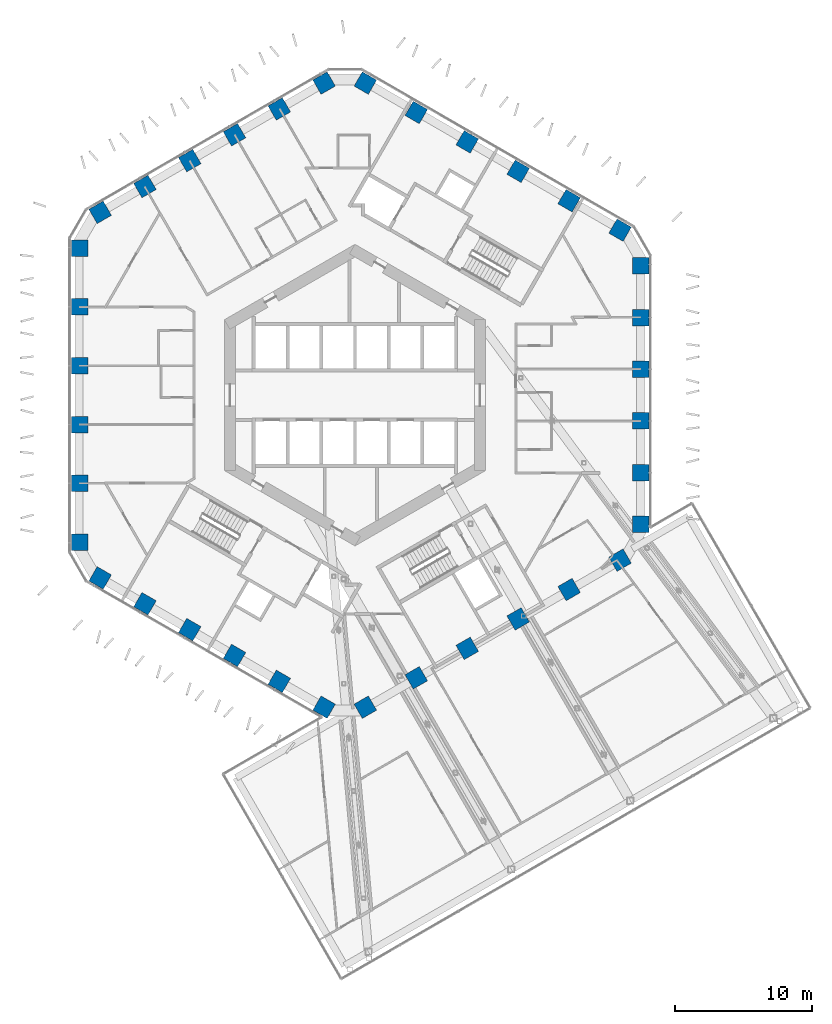
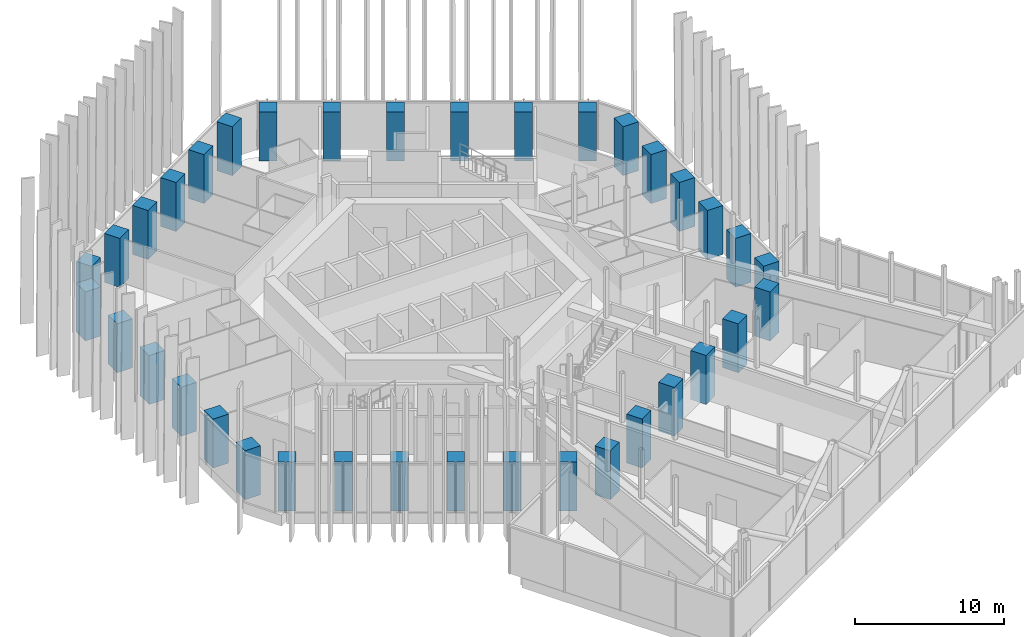
# One storey, part 1 of 29: 36 columns.
"""IFC4 building model written with IfcOpenShell, lengths in metres."""

from ifc_helpers import new_model, si_unit, direction, frame, origin, origin_2d, place, context, subcontext, project, spatial, rectangle, extrude, material, material_profile, profile_set, type_object, element, save


model = new_model("IFC4")

# Units and contexts
model_context = context("Model", 3, precision=1e-05, world=origin(), true_north=direction((0.0, 1.0)))
body_context = subcontext(model_context, "Body", "Model", "MODEL_VIEW")
ifc_project = project(units=[si_unit("LENGTHUNIT", "METRE"), si_unit("AREAUNIT", "SQUARE_METRE"), si_unit("VOLUMEUNIT", "CUBIC_METRE"), si_unit("PLANEANGLEUNIT", "RADIAN"), si_unit("MASSUNIT", "GRAM", prefix="KILO")], contexts=[model_context])

# Site, building, storey
site_placement = place(None, origin())
site = spatial("IfcSite", under=ifc_project, at=site_placement, CompositionType="ELEMENT")
building_placement = place(site_placement, origin())
building = spatial("IfcBuilding", under=site, at=building_placement, Name="Ayvan Gate Tower", CompositionType="ELEMENT")
storey_placement = place(building_placement, frame((0.0, 0.0, 66.300048828125)))
storey = spatial("IfcBuildingStorey", under=building, at=storey_placement, Name="L17", CompositionType="ELEMENT", Elevation=66.300048828125)

# Columns
ifc_material = material(Name="Concrete C70/85", Category="concrete")
ifc_material_profile = material_profile(ifc_material, rectangle(XDim=1.199951171875, YDim=1.199951171875, at=origin_2d()), Name="RC 1200x1200")
ifc_profile_set = profile_set([ifc_material_profile], Name="Concrete C70/85")
column_type = type_object("IfcColumnType", Name="Tube column RC 1200x1200 C70/85", PredefinedType="COLUMN", material=ifc_profile_set)
for number, where, z_axis, x_axis, name in (
    (1, (20.78466796875, -9.4052734375, 0.0), (0.0, 0.0, 1.0), (1.0, 0.0, 0.0), "C-T0-0-L17"),
    (2, (20.78466796875, -5.64306640625, 0.0), (0.0, 0.0, 1.0), (1.0, 0.0, 0.0), "C-T0-1-L17"),
    (3, (20.78466796875, -1.881103515625, 0.0), (0.0, 0.0, 1.0), (1.0, 0.0, 0.0), "C-T0-2-L17"),
    (4, (20.78466796875, 1.881103515625, 0.0), (0.0, 0.0, 1.0), (1.0, 0.0, 0.0), "C-T0-3-L17"),
    (5, (20.78466796875, 5.64306640625, 0.0), (0.0, 0.0, 1.0), (1.0, 0.0, 0.0), "C-T0-4-L17"),
    (6, (20.78466796875, 9.4052734375, 0.0), (0.0, 0.0, 1.0), (1.0, 0.0, 0.0), "C-T0-5-L17"),
    (7, (19.28466796875, 12.00341796875, 0.0), (0.0, 0.0, 1.0), (0.5, 0.866025403784, 0.0), "C-T1-0-L17"),
    (8, (15.578369140625, 14.143310546875, 0.0), (0.0, 0.0, 1.0), (0.5, 0.866025403784, 0.0), "C-T1-1-L17"),
    (9, (11.871826171875, 16.283203125, 0.0), (0.0, 0.0, 1.0), (0.5, 0.866025403784, 0.0), "C-T1-2-L17"),
    (10, (8.16552734375, 18.4228515625, 0.0), (0.0, 0.0, 1.0), (0.5, 0.866025403784, 0.0), "C-T1-3-L17"),
    (11, (4.459228515625, 20.562744140625, 0.0), (0.0, 0.0, 1.0), (0.5, 0.866025403784, 0.0), "C-T1-4-L17"),
    (12, (0.7529296875, 22.70263671875, 0.0), (0.0, 0.0, 1.0), (0.5, 0.866025403784, 0.0), "C-T1-5-L17"),
    (13, (-2.2470703125, 22.70263671875, 0.0), (0.0, 0.0, 1.0), (-0.5, 0.866025403784, 0.0), "C-T2-0-L17"),
    (14, (-5.505126953125, 20.821533203125, 0.0), (0.0, 0.0, 1.0), (-0.5, 0.866025403784, 0.0), "C-T2-1-L17"),
    (15, (-8.76318359375, 18.9404296875, 0.0), (0.0, 0.0, 1.0), (-0.5, 0.866025403784, 0.0), "C-T2-2-L17"),
    (16, (-12.021240234375, 17.0595703125, 0.0), (0.0, 0.0, 1.0), (-0.5, 0.866025403784, 0.0), "C-T2-3-L17"),
    (17, (-15.279541015625, 15.178466796875, 0.0), (0.0, 0.0, 1.0), (-0.5, 0.866025403784, 0.0), "C-T2-4-L17"),
    (18, (-18.53759765625, 13.29736328125, 0.0), (0.0, 0.0, 1.0), (-0.5, 0.866025403784, 0.0), "C-T2-5-L17"),
    (19, (-20.03759765625, 10.69921875, 0.0), (0.0, 0.0, 1.0), (-1.0, 0.0, 0.0), "C-T3-0-L17"),
    (20, (-20.03759765625, 6.419677734375, 0.0), (0.0, 0.0, 1.0), (-1.0, 0.0, 0.0), "C-T3-1-L17"),
    (21, (-20.03759765625, 2.139892578125, 0.0), (0.0, 0.0, 1.0), (-1.0, 0.0, 0.0), "C-T3-2-L17"),
    (22, (-20.03759765625, -2.139892578125, 0.0), (0.0, 0.0, 1.0), (-1.0, 0.0, 0.0), "C-T3-3-L17"),
    (23, (-20.03759765625, -6.419677734375, 0.0), (0.0, 0.0, 1.0), (-1.0, 0.0, 0.0), "C-T3-4-L17"),
    (24, (-20.03759765625, -10.69921875, 0.0), (0.0, 0.0, 1.0), (-1.0, 0.0, 0.0), "C-T3-5-L17"),
    (25, (-18.53759765625, -13.29736328125, 0.0), (0.0, 0.0, 1.0), (-0.5, -0.866025403784, 0.0), "C-T4-0-L17"),
    (26, (-15.279541015625, -15.178466796875, 0.0), (0.0, 0.0, 1.0), (-0.5, -0.866025403784, 0.0), "C-T4-1-L17"),
    (27, (-12.021240234375, -17.0595703125, 0.0), (0.0, 0.0, 1.0), (-0.5, -0.866025403784, 0.0), "C-T4-2-L17"),
    (28, (-8.76318359375, -18.9404296875, 0.0), (0.0, 0.0, 1.0), (-0.5, -0.866025403784, 0.0), "C-T4-3-L17"),
    (29, (-5.505126953125, -20.821533203125, 0.0), (0.0, 0.0, 1.0), (-0.5, -0.866025403784, 0.0), "C-T4-4-L17"),
    (30, (-2.2470703125, -22.70263671875, 0.0), (0.0, 0.0, 1.0), (-0.5, -0.866025403784, 0.0), "C-T4-5-L17"),
    (31, (0.7529296875, -22.70263671875, 0.0), (0.0, 0.0, 1.0), (0.5, -0.866025403784, 0.0), "C-T5-0-L17"),
    (32, (4.459228515625, -20.562744140625, 0.0), (0.0, 0.0, 1.0), (0.5, -0.866025403784, 0.0), "C-T5-1-L17"),
    (33, (8.16552734375, -18.4228515625, 0.0), (0.0, 0.0, 1.0), (0.5, -0.866025403784, 0.0), "C-T5-2-L17"),
    (34, (11.871826171875, -16.283203125, 0.0), (0.0, 0.0, 1.0), (0.5, -0.866025403784, 0.0), "C-T5-3-L17"),
    (35, (15.578369140625, -14.143310546875, 0.0), (0.0, 0.0, 1.0), (0.5, -0.866025403784, 0.0), "C-T5-4-L17"),
    (36, (19.28466796875, -12.00341796875, 0.0), (0.0, 0.0, 1.0), (0.5, -0.866025403784, 0.0), "C-T5-5-L17"),
):
    element("IfcColumn", number, at=place(storey_placement, frame(where, z_axis=z_axis, x_axis=x_axis)), inside=storey, type_object=column_type, Name=name, PredefinedType="COLUMN", context=body_context, shape_type="SweptSolid", body=[
        extrude(rectangle(XDim=1.199951171875, YDim=1.199951171875, at=origin_2d()), origin(), (0.0, 0.0, 1.0), 4.0),
    ])

save(model, "model.ifc")
